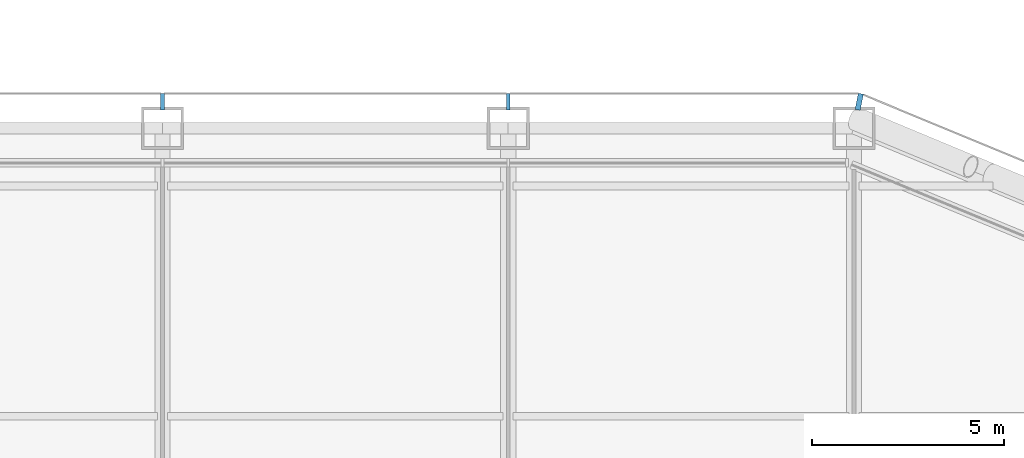
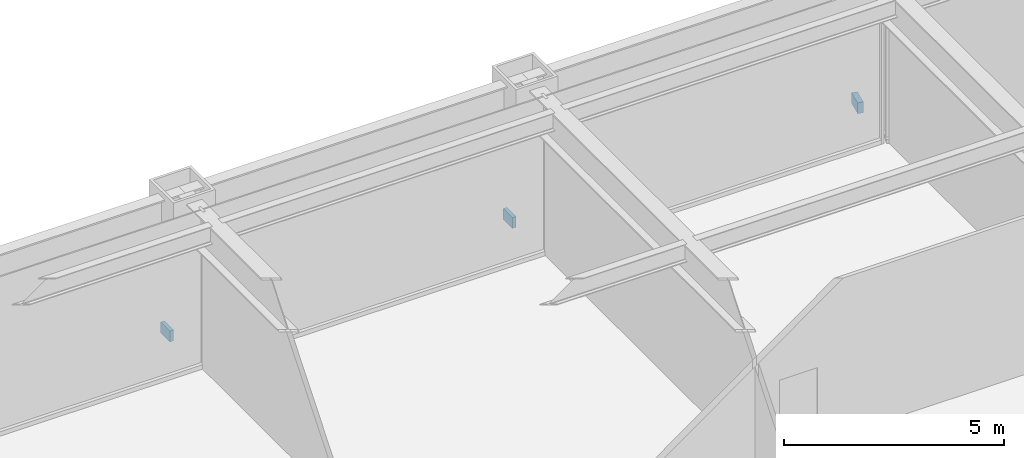
# One storey, part 23 of 29: 3 discrete accessories.
"""IFC4 building model written with IfcOpenShell, lengths in metres."""

from ifc_helpers import new_model, si_unit, direction, frame, origin, origin_2d, place, context, subcontext, project, spatial, rectangle, extrude, material, type_object, element, save


model = new_model("IFC4")

# Units and contexts
model_context = context("Model", 3, precision=1e-05, world=origin(), true_north=direction((0.0, 1.0)))
body_context = subcontext(model_context, "Body", "Model", "MODEL_VIEW")
ifc_project = project(units=[si_unit("LENGTHUNIT", "METRE"), si_unit("AREAUNIT", "SQUARE_METRE"), si_unit("VOLUMEUNIT", "CUBIC_METRE"), si_unit("PLANEANGLEUNIT", "RADIAN"), si_unit("MASSUNIT", "GRAM", prefix="KILO")], contexts=[model_context])

# Site, building, storey
site_placement = place(None, origin())
site = spatial("IfcSite", under=ifc_project, at=site_placement, CompositionType="ELEMENT")
building_placement = place(site_placement, origin())
building = spatial("IfcBuilding", under=site, at=building_placement, Name="Siwar Civic Tower", CompositionType="ELEMENT")
storey_placement = place(building_placement, frame((0.0, 0.0, 49.199951171875)))
storey = spatial("IfcBuildingStorey", under=building, at=storey_placement, Name="L10", CompositionType="ELEMENT", Elevation=49.199951171875)

# Discrete accessories
ifc_material = material(Name="Stainless steel 316", Category="steel")
discrete_accessory_type = type_object("IfcDiscreteAccessoryType", Name="ENV-BRACKET", PredefinedType="BRACKET", material=ifc_material)
for number, where, z_axis, x_axis, name in (
    (1, (13.5, 32.18994140625, -0.14990234375), (0.0, 0.0, 1.0), (0.0, 1.0, 0.0), "Bracket outer skin joint N-01"),
    (2, (4.5, 32.18994140625, -0.14990234375), (0.0, 0.0, 1.0), (0.0, 1.0, 0.0), "Bracket outer skin joint N-02"),
):
    element("IfcDiscreteAccessory", number, at=place(storey_placement, frame(where, z_axis=z_axis, x_axis=x_axis)), inside=storey, type_object=discrete_accessory_type, Name=name, PredefinedType="BRACKET", context=body_context, shape_type="SweptSolid", body=[
        extrude(rectangle(XDim=0.419921875, YDim=0.10009765625, at=origin_2d()), origin(), (0.0, 0.0, 1.0), 0.300048828125),
    ])
discrete_accessory_placement = place(storey_placement, frame((22.63720703125, 32.190185546875, -0.14990234375), z_axis=(0.0, 0.0, 1.0), x_axis=(0.195090322016, 0.980785280403, 0.0)))
element("IfcDiscreteAccessory", 3, at=discrete_accessory_placement, inside=storey, type_object=discrete_accessory_type, Name="Bracket outer skin joint V06", PredefinedType="BRACKET", context=body_context, shape_type="SweptSolid", body=[
    extrude(rectangle(XDim=0.427734375, YDim=0.13720703125, at=origin_2d()), origin(), (0.0, 0.0, 1.0), 0.300048828125),
])

save(model, "model.ifc")
